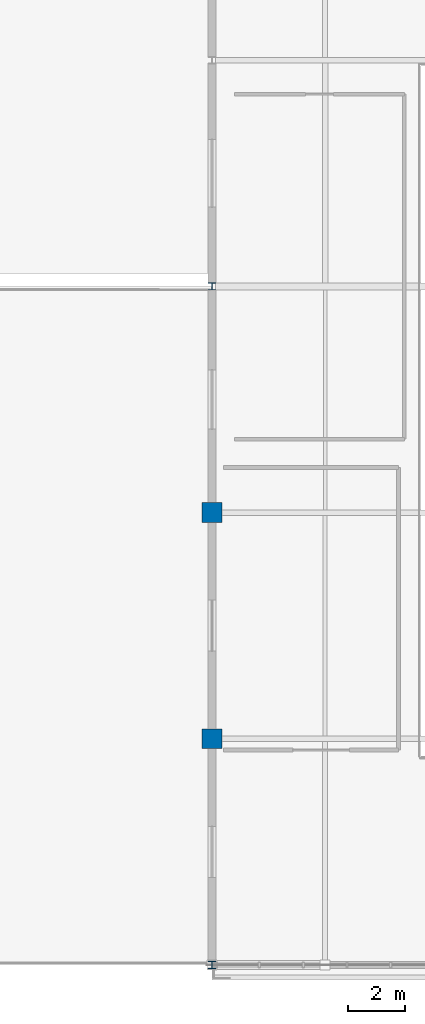
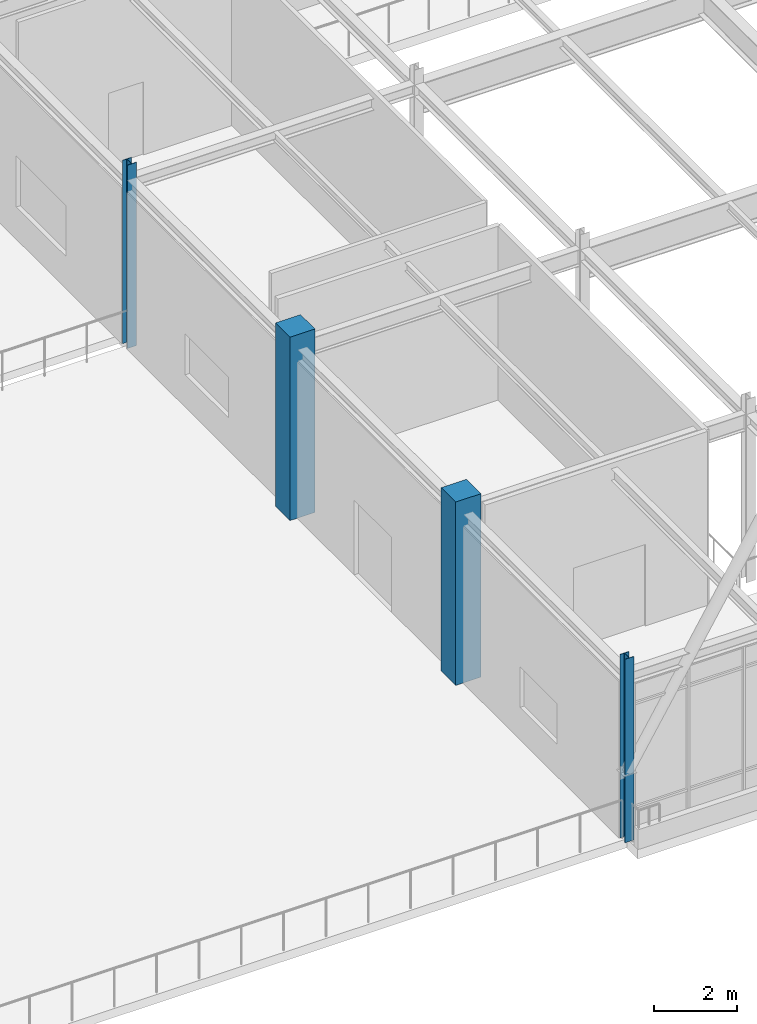
# One storey, part 6 of 108: 4 columns.
"""IFC4 building model written with IfcOpenShell, lengths in metres."""

from ifc_helpers import new_model, si_unit, direction, frame, origin, origin_2d, place, context, subcontext, project, spatial, rectangle, i_section, extrude, material, material_profile, profile_set, type_object, element, save


model = new_model("IFC4")

# Units and contexts
model_context = context("Model", 3, precision=1e-05, world=origin(), true_north=direction((0.0, 1.0)))
body_context = subcontext(model_context, "Body", "Model", "MODEL_VIEW")
ifc_project = project(units=[si_unit("LENGTHUNIT", "METRE"), si_unit("AREAUNIT", "SQUARE_METRE"), si_unit("VOLUMEUNIT", "CUBIC_METRE"), si_unit("PLANEANGLEUNIT", "RADIAN"), si_unit("MASSUNIT", "GRAM", prefix="KILO")], contexts=[model_context])

# Site, building, storey
site_placement = place(None, origin())
site = spatial("IfcSite", under=ifc_project, at=site_placement, CompositionType="ELEMENT")
building_placement = place(site_placement, origin())
building = spatial("IfcBuilding", under=site, at=building_placement, Name="Zhaolan Boulevard Law Courts", CompositionType="ELEMENT")
storey_placement = place(building_placement, frame((0.0, 0.0, 10.800048828125)))
storey = spatial("IfcBuildingStorey", under=building, at=storey_placement, Name="L02", CompositionType="ELEMENT", Elevation=10.800048828125)

# Columns
ifc_material_1 = material(Name="Structural steel Q355B", Category="steel")
ifc_material_profile_1 = material_profile(ifc_material_1, i_section(OverallWidth=0.25, OverallDepth=0.25, WebThickness=0.009033203125, FlangeThickness=0.013916015625, FilletRadius=0.01611328125, at=origin_2d()), Name="HW250x250")
ifc_profile_set_1 = profile_set([ifc_material_profile_1], Name="Structural steel Q355B")
column_type_1 = type_object("IfcColumnType", Name="COL HW250", PredefinedType="COLUMN", material=ifc_profile_set_1)
for number, where, z_axis, x_axis, name in (
    (1, (124.0, 6.0, 0.0), (0.0, 0.0, 1.0), (1.0, 0.0, 0.0), "Column C-16B (L02)"),
    (2, (124.0, 30.0, 0.0), (0.0, 0.0, 1.0), (1.0, 0.0, 0.0), "Column C-16E (L02)"),
):
    element("IfcColumn", number, at=place(storey_placement, frame(where, z_axis=z_axis, x_axis=x_axis)), inside=storey, type_object=column_type_1, Name=name, PredefinedType="COLUMN", context=body_context, shape_type="SweptSolid", body=[
        extrude(i_section(OverallWidth=0.25, OverallDepth=0.25, WebThickness=0.009033203125, FlangeThickness=0.013916015625, FilletRadius=0.01611328125, at=origin_2d()), origin(), (0.0, 0.0, 1.0), 5.39990234375),
    ])
ifc_material_2 = material(Name="Concrete C50", Category="concrete")
ifc_material_profile_2 = material_profile(ifc_material_2, rectangle(XDim=0.699951171875, YDim=0.699951171875, at=origin_2d()), Name="RC700x700")
ifc_profile_set_2 = profile_set([ifc_material_profile_2], Name="Concrete C50")
column_type_2 = type_object("IfcColumnType", Name="COL RC700", PredefinedType="COLUMN", material=ifc_profile_set_2)
for number, where, z_axis, x_axis, name in (
    (3, (124.0, 14.0, 0.0), (0.0, 0.0, 1.0), (1.0, 0.0, 0.0), "Column C-16C (L02)"),
    (4, (124.0, 22.0, 0.0), (0.0, 0.0, 1.0), (1.0, 0.0, 0.0), "Column C-16D (L02)"),
):
    element("IfcColumn", number, at=place(storey_placement, frame(where, z_axis=z_axis, x_axis=x_axis)), inside=storey, type_object=column_type_2, Name=name, PredefinedType="COLUMN", context=body_context, shape_type="SweptSolid", body=[
        extrude(rectangle(XDim=0.699951171875, YDim=0.699951171875, at=origin_2d()), origin(), (0.0, 0.0, 1.0), 5.39990234375),
    ])

save(model, "model.ifc")
